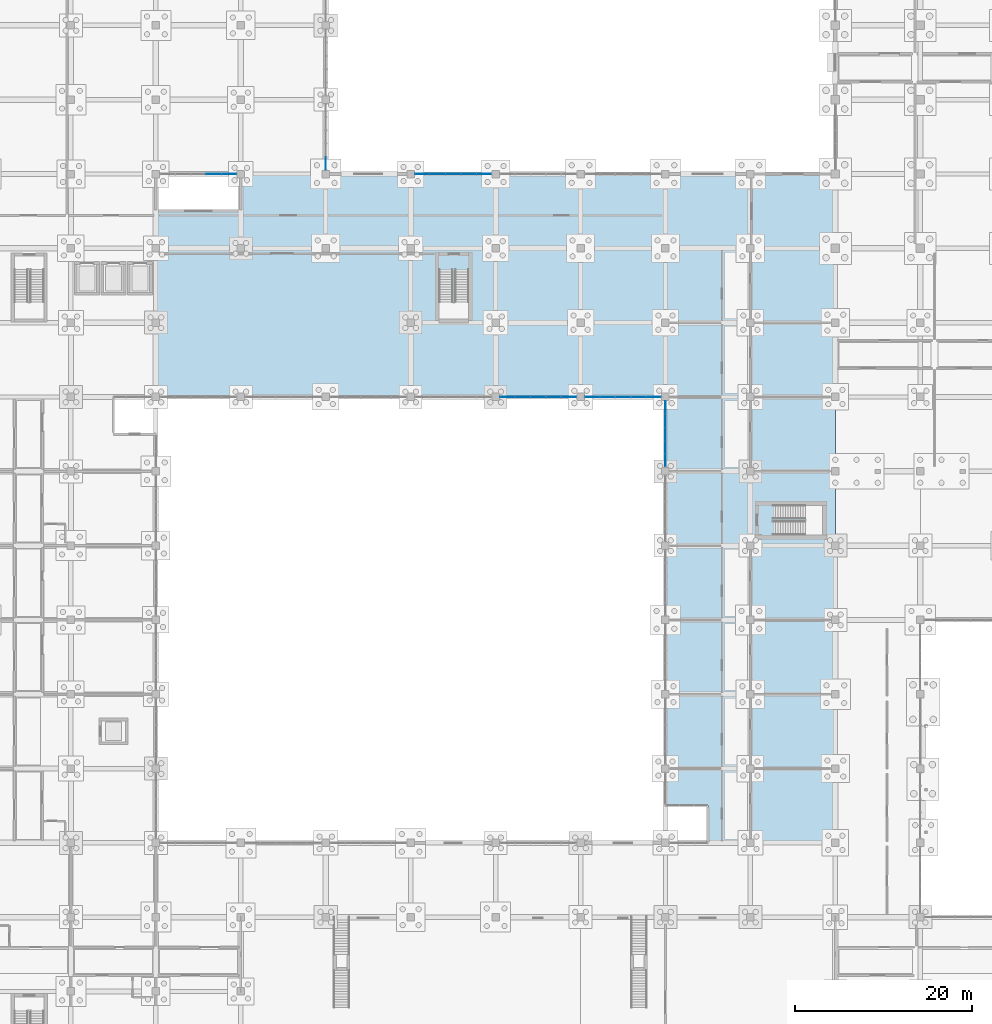
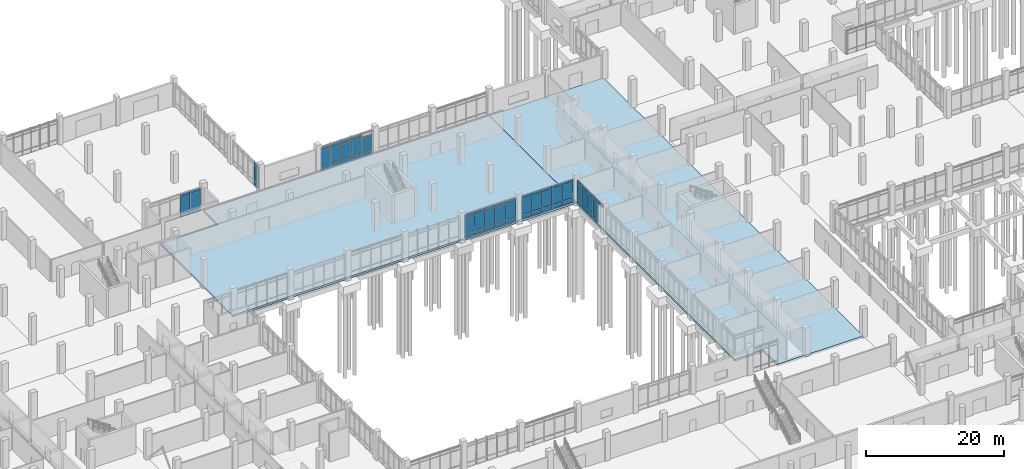
# One storey, part 80 of 136: 66 plates, 2 slabs, 6 elements without a shape of their own.
"""IFC4 building model written with IfcOpenShell, lengths in metres."""

from ifc_helpers import new_model, si_unit, direction, frame, origin, origin_2d, place, context, subcontext, project, spatial, polyline, rectangle, outline, extrude, material, layer, layer_set, type_object, element, aggregate, save


model = new_model("IFC4")

# Units and contexts
model_context = context("Model", 3, precision=1e-05, world=origin(), true_north=direction((0.0, 1.0)))
body_context = subcontext(model_context, "Body", "Model", "MODEL_VIEW")
ifc_project = project(units=[si_unit("LENGTHUNIT", "METRE"), si_unit("AREAUNIT", "SQUARE_METRE"), si_unit("VOLUMEUNIT", "CUBIC_METRE"), si_unit("PLANEANGLEUNIT", "RADIAN"), si_unit("MASSUNIT", "GRAM", prefix="KILO")], contexts=[model_context])

# Site, building, storey
site_placement = place(None, origin())
site = spatial("IfcSite", under=ifc_project, at=site_placement, CompositionType="ELEMENT")
building_placement = place(site_placement, origin())
building = spatial("IfcBuilding", under=site, at=building_placement, Name="Oolite Switchyard Hospital", CompositionType="ELEMENT")
storey_placement = place(building_placement, origin())
storey = spatial("IfcBuildingStorey", under=building, at=storey_placement, Name="L00", CompositionType="ELEMENT", Elevation=0.0)

# Curtain wall, plates
ifc_material_1 = material(Name="Thermally broken aluminum frame with laminated impact glazing", Category="aluminium")
curtain_wall_type_1 = type_object("IfcCurtainWallType", Name="CW-UNIT-84X51", PredefinedType="USERDEFINED", material=ifc_material_1)
curtain_wall_1_placement = place(storey_placement, origin())
curtain_wall_1 = element("IfcCurtainWall", 1, at=curtain_wall_1_placement, inside=storey, type_object=curtain_wall_type_1, Name="L00 Unitised Curtain Wall 72", ObjectType="UNITISED", PredefinedType="USERDEFINED")
ifc_material_2 = material(Name="Insulated fluoropolymer-coated aluminum spandrel panel", Category="aluminium")
ifc_layer_1 = layer(ifc_material_2, 0.054931640625)
ifc_layer_set_1 = layer_set([ifc_layer_1], Name="CW-PNL-SPN55")
plate_type_1 = type_object("IfcPlateType", Name="CW-PNL-SPN55", PredefinedType="CURTAIN_PANEL", material=ifc_layer_set_1)
plate_1_placement = place(storey_placement, frame((115.199951171875, 76.806884765625, 3.719970703125), z_axis=(0.0, 0.0, 1.0), x_axis=(0.0, 1.0, 0.0)))
plate_1 = element("IfcPlate", 2, at=plate_1_placement, type_object=plate_type_1, Name="CW-06 panel 1.3", PredefinedType="CURTAIN_PANEL", context=body_context, shape_type="SweptSolid", body=[
    extrude(rectangle(XDim=1.4140625, YDim=0.054931640625, at=origin_2d()), origin(), (0.0, 0.0, 1.0), 0.4599609375),
])
plate_2_placement = place(storey_placement, frame((115.199951171875, 78.2958984375, 0.06005859375), z_axis=(0.0, 0.0, 1.0), x_axis=(0.0, 1.0, 0.0)))
plate_2 = element("IfcPlate", 3, at=plate_2_placement, type_object=plate_type_1, Name="CW-06 panel 2.1", PredefinedType="CURTAIN_PANEL", context=body_context, shape_type="SweptSolid", body=[
    extrude(rectangle(XDim=1.444091796875, YDim=0.054931640625, at=origin_2d()), origin(), (0.0, 0.0, 1.0), 0.760009765625),
])
plate_3_placement = place(storey_placement, frame((115.199951171875, 78.2958984375, 0.8798828125), z_axis=(0.0, 0.0, 1.0), x_axis=(0.0, 1.0, 0.0)))
plate_3 = element("IfcPlate", 4, at=plate_3_placement, type_object=plate_type_1, Name="CW-06 panel 2.2", PredefinedType="CURTAIN_PANEL", context=body_context, shape_type="SweptSolid", body=[
    extrude(rectangle(XDim=1.444091796875, YDim=0.054931640625, at=origin_2d()), origin(), (0.0, 0.0, 1.0), 2.780029296875),
])
plate_4_placement = place(storey_placement, frame((115.199951171875, 78.2958984375, 3.719970703125), z_axis=(0.0, 0.0, 1.0), x_axis=(0.0, 1.0, 0.0)))
plate_4 = element("IfcPlate", 5, at=plate_4_placement, type_object=plate_type_1, Name="CW-06 panel 2.3", PredefinedType="CURTAIN_PANEL", context=body_context, shape_type="SweptSolid", body=[
    extrude(rectangle(XDim=1.444091796875, YDim=0.054931640625, at=origin_2d()), origin(), (0.0, 0.0, 1.0), 0.4599609375),
])
plate_5_placement = place(storey_placement, frame((115.199951171875, 79.800048828125, 0.06005859375), z_axis=(0.0, 0.0, 1.0), x_axis=(0.0, 1.0, 0.0)))
plate_5 = element("IfcPlate", 6, at=plate_5_placement, type_object=plate_type_1, Name="CW-06 panel 3.1", PredefinedType="CURTAIN_PANEL", context=body_context, shape_type="SweptSolid", body=[
    extrude(rectangle(XDim=1.444091796875, YDim=0.054931640625, at=origin_2d()), origin(), (0.0, 0.0, 1.0), 0.760009765625),
])
plate_6_placement = place(storey_placement, frame((115.199951171875, 79.800048828125, 0.8798828125), z_axis=(0.0, 0.0, 1.0), x_axis=(0.0, 1.0, 0.0)))
plate_6 = element("IfcPlate", 7, at=plate_6_placement, type_object=plate_type_1, Name="CW-06 panel 3.2", PredefinedType="CURTAIN_PANEL", context=body_context, shape_type="SweptSolid", body=[
    extrude(rectangle(XDim=1.444091796875, YDim=0.054931640625, at=origin_2d()), origin(), (0.0, 0.0, 1.0), 2.780029296875),
])
plate_7_placement = place(storey_placement, frame((115.199951171875, 79.800048828125, 3.719970703125), z_axis=(0.0, 0.0, 1.0), x_axis=(0.0, 1.0, 0.0)))
plate_7 = element("IfcPlate", 8, at=plate_7_placement, type_object=plate_type_1, Name="CW-06 panel 3.3", PredefinedType="CURTAIN_PANEL", context=body_context, shape_type="SweptSolid", body=[
    extrude(rectangle(XDim=1.444091796875, YDim=0.054931640625, at=origin_2d()), origin(), (0.0, 0.0, 1.0), 0.4599609375),
])
plate_8_placement = place(storey_placement, frame((115.199951171875, 81.303955078125, 0.06005859375), z_axis=(0.0, 0.0, 1.0), x_axis=(0.0, 1.0, 0.0)))
plate_8 = element("IfcPlate", 9, at=plate_8_placement, type_object=plate_type_1, Name="CW-06 panel 4.1", PredefinedType="CURTAIN_PANEL", context=body_context, shape_type="SweptSolid", body=[
    extrude(rectangle(XDim=1.444091796875, YDim=0.054931640625, at=origin_2d()), origin(), (0.0, 0.0, 1.0), 0.760009765625),
])
plate_9_placement = place(storey_placement, frame((115.199951171875, 81.303955078125, 0.8798828125), z_axis=(0.0, 0.0, 1.0), x_axis=(0.0, 1.0, 0.0)))
plate_9 = element("IfcPlate", 10, at=plate_9_placement, type_object=plate_type_1, Name="CW-06 panel 4.2", PredefinedType="CURTAIN_PANEL", context=body_context, shape_type="SweptSolid", body=[
    extrude(rectangle(XDim=1.444091796875, YDim=0.054931640625, at=origin_2d()), origin(), (0.0, 0.0, 1.0), 2.780029296875),
])
plate_10_placement = place(storey_placement, frame((115.199951171875, 81.303955078125, 3.719970703125), z_axis=(0.0, 0.0, 1.0), x_axis=(0.0, 1.0, 0.0)))
plate_10 = element("IfcPlate", 11, at=plate_10_placement, type_object=plate_type_1, Name="CW-06 panel 4.3", PredefinedType="CURTAIN_PANEL", context=body_context, shape_type="SweptSolid", body=[
    extrude(rectangle(XDim=1.444091796875, YDim=0.054931640625, at=origin_2d()), origin(), (0.0, 0.0, 1.0), 0.4599609375),
])
plate_11_placement = place(storey_placement, frame((115.199951171875, 82.79296875, 0.06005859375), z_axis=(0.0, 0.0, 1.0), x_axis=(0.0, 1.0, 0.0)))
plate_11 = element("IfcPlate", 12, at=plate_11_placement, type_object=plate_type_1, Name="CW-06 panel 5.1", PredefinedType="CURTAIN_PANEL", context=body_context, shape_type="SweptSolid", body=[
    extrude(rectangle(XDim=1.4140625, YDim=0.054931640625, at=origin_2d()), origin(), (0.0, 0.0, 1.0), 0.760009765625),
])
plate_12_placement = place(storey_placement, frame((115.199951171875, 82.79296875, 0.8798828125), z_axis=(0.0, 0.0, 1.0), x_axis=(0.0, 1.0, 0.0)))
plate_12 = element("IfcPlate", 13, at=plate_12_placement, type_object=plate_type_1, Name="CW-06 panel 5.2", PredefinedType="CURTAIN_PANEL", context=body_context, shape_type="SweptSolid", body=[
    extrude(rectangle(XDim=1.4140625, YDim=0.054931640625, at=origin_2d()), origin(), (0.0, 0.0, 1.0), 2.780029296875),
])
plate_13_placement = place(storey_placement, frame((115.199951171875, 82.79296875, 3.719970703125), z_axis=(0.0, 0.0, 1.0), x_axis=(0.0, 1.0, 0.0)))
plate_13 = element("IfcPlate", 14, at=plate_13_placement, type_object=plate_type_1, Name="CW-06 panel 5.3", PredefinedType="CURTAIN_PANEL", context=body_context, shape_type="SweptSolid", body=[
    extrude(rectangle(XDim=1.4140625, YDim=0.054931640625, at=origin_2d()), origin(), (0.0, 0.0, 1.0), 0.4599609375),
])
aggregate(curtain_wall_1, [plate_1, plate_2, plate_3, plate_4, plate_5, plate_6, plate_7, plate_8, plate_9, plate_10, plate_11, plate_12, plate_13])

curtain_wall_type_2 = type_object("IfcCurtainWallType", Name="CW-UNIT-96X51", PredefinedType="USERDEFINED", material=ifc_material_1)
curtain_wall_2_placement = place(storey_placement, origin())
curtain_wall_2 = element("IfcCurtainWall", 15, at=curtain_wall_2_placement, inside=storey, type_object=curtain_wall_type_2, Name="L00 Unitised Curtain Wall 41", ObjectType="UNITISED", PredefinedType="USERDEFINED")
ifc_layer_2 = layer(ifc_material_2, 0.070068359375)
ifc_layer_set_2 = layer_set([ifc_layer_2], Name="CW-PNL-SPN70")
plate_type_2 = type_object("IfcPlateType", Name="CW-PNL-SPN70", PredefinedType="CURTAIN_PANEL", material=ifc_layer_set_2)
plate_14_placement = place(storey_placement, frame((65.869140625, 109.199951171875, 0.0751953125), z_axis=(0.0, 0.0, 1.0), x_axis=(-1.0, 0.0, 0.0)))
plate_14 = element("IfcPlate", 16, at=plate_14_placement, type_object=plate_type_2, Name="CW-01 panel 1.1", PredefinedType="CURTAIN_PANEL", context=body_context, shape_type="SweptSolid", body=[
    extrude(rectangle(XDim=1.631591796875, YDim=0.070068359375, at=origin_2d()), origin(), (0.0, 0.0, 1.0), 0.737548828125),
])
plate_15_placement = place(storey_placement, frame((65.869140625, 109.199951171875, 0.8876953125), z_axis=(0.0, 0.0, 1.0), x_axis=(-1.0, 0.0, 0.0)))
plate_15 = element("IfcPlate", 17, at=plate_15_placement, type_object=plate_type_2, Name="CW-01 panel 1.2", PredefinedType="CURTAIN_PANEL", context=body_context, shape_type="SweptSolid", body=[
    extrude(rectangle(XDim=1.631591796875, YDim=0.070068359375, at=origin_2d()), origin(), (0.0, 0.0, 1.0), 2.764892578125),
])
plate_16_placement = place(storey_placement, frame((65.869140625, 109.199951171875, 3.7275390625), z_axis=(0.0, 0.0, 1.0), x_axis=(-1.0, 0.0, 0.0)))
plate_16 = element("IfcPlate", 18, at=plate_16_placement, type_object=plate_type_2, Name="CW-01 panel 1.3", PredefinedType="CURTAIN_PANEL", context=body_context, shape_type="SweptSolid", body=[
    extrude(rectangle(XDim=1.631591796875, YDim=0.070068359375, at=origin_2d()), origin(), (0.0, 0.0, 1.0), 0.4375),
])
plate_17_placement = place(storey_placement, frame((64.14404296875, 109.199951171875, 0.0751953125), z_axis=(0.0, 0.0, 1.0), x_axis=(-1.0, 0.0, 0.0)))
plate_17 = element("IfcPlate", 19, at=plate_17_placement, type_object=plate_type_2, Name="CW-01 panel 2.1", PredefinedType="CURTAIN_PANEL", context=body_context, shape_type="SweptSolid", body=[
    extrude(rectangle(XDim=1.6689453125, YDim=0.070068359375, at=origin_2d()), origin(), (0.0, 0.0, 1.0), 0.737548828125),
])
plate_18_placement = place(storey_placement, frame((64.14404296875, 109.199951171875, 0.8876953125), z_axis=(0.0, 0.0, 1.0), x_axis=(-1.0, 0.0, 0.0)))
plate_18 = element("IfcPlate", 20, at=plate_18_placement, type_object=plate_type_2, Name="CW-01 panel 2.2", PredefinedType="CURTAIN_PANEL", context=body_context, shape_type="SweptSolid", body=[
    extrude(rectangle(XDim=1.6689453125, YDim=0.070068359375, at=origin_2d()), origin(), (0.0, 0.0, 1.0), 2.764892578125),
])
plate_19_placement = place(storey_placement, frame((64.14404296875, 109.199951171875, 3.7275390625), z_axis=(0.0, 0.0, 1.0), x_axis=(-1.0, 0.0, 0.0)))
plate_19 = element("IfcPlate", 21, at=plate_19_placement, type_object=plate_type_2, Name="CW-01 panel 2.3", PredefinedType="CURTAIN_PANEL", context=body_context, shape_type="SweptSolid", body=[
    extrude(rectangle(XDim=1.6689453125, YDim=0.070068359375, at=origin_2d()), origin(), (0.0, 0.0, 1.0), 0.4375),
])
aggregate(curtain_wall_2, [plate_14, plate_15, plate_16, plate_17, plate_18, plate_19])

curtain_wall_3_placement = place(storey_placement, origin())
curtain_wall_3 = element("IfcCurtainWall", 22, at=curtain_wall_3_placement, inside=storey, type_object=curtain_wall_type_2, Name="L00 Unitised Curtain Wall 34", ObjectType="UNITISED", PredefinedType="USERDEFINED")
ifc_material_3 = material(Name="Laminated hurricane-impact insulated glazing unit", Category="glass")
ifc_layer_3 = layer(ifc_material_3, 0.028076171875)
ifc_layer_set_3 = layer_set([ifc_layer_3], Name="CW-PNL-VIS28")
plate_type_3 = type_object("IfcPlateType", Name="CW-PNL-VIS28", PredefinedType="CURTAIN_PANEL", material=ifc_layer_set_3)
plate_20_placement = place(storey_placement, frame((104.2705078125, 84.0, 0.06005859375), z_axis=(0.0, 0.0, 1.0), x_axis=(-1.0, 0.0, 0.0)))
plate_20 = element("IfcPlate", 23, at=plate_20_placement, type_object=plate_type_3, Name="CW-01 panel 1.1", PredefinedType="CURTAIN_PANEL", context=body_context, shape_type="SweptSolid", body=[
    extrude(rectangle(XDim=1.638916015625, YDim=0.028076171875, at=origin_2d()), origin(), (0.0, 0.0, 1.0), 0.760009765625),
])
plate_21_placement = place(storey_placement, frame((104.2705078125, 84.0, 0.8798828125), z_axis=(0.0, 0.0, 1.0), x_axis=(-1.0, 0.0, 0.0)))
plate_21 = element("IfcPlate", 24, at=plate_21_placement, type_object=plate_type_3, Name="CW-01 panel 1.2", PredefinedType="CURTAIN_PANEL", context=body_context, shape_type="SweptSolid", body=[
    extrude(rectangle(XDim=1.638916015625, YDim=0.028076171875, at=origin_2d()), origin(), (0.0, 0.0, 1.0), 2.780029296875),
])
plate_22_placement = place(storey_placement, frame((104.2705078125, 84.0, 3.719970703125), z_axis=(0.0, 0.0, 1.0), x_axis=(-1.0, 0.0, 0.0)))
plate_22 = element("IfcPlate", 25, at=plate_22_placement, type_object=plate_type_3, Name="CW-01 panel 1.3", PredefinedType="CURTAIN_PANEL", context=body_context, shape_type="SweptSolid", body=[
    extrude(rectangle(XDim=1.638916015625, YDim=0.028076171875, at=origin_2d()), origin(), (0.0, 0.0, 1.0), 0.4599609375),
])
plate_23_placement = place(storey_placement, frame((102.5439453125, 84.0, 0.06005859375), z_axis=(0.0, 0.0, 1.0), x_axis=(-1.0, 0.0, 0.0)))
plate_23 = element("IfcPlate", 26, at=plate_23_placement, type_object=plate_type_3, Name="CW-01 panel 2.1", PredefinedType="CURTAIN_PANEL", context=body_context, shape_type="SweptSolid", body=[
    extrude(rectangle(XDim=1.674072265625, YDim=0.028076171875, at=origin_2d()), origin(), (0.0, 0.0, 1.0), 0.760009765625),
])
plate_24_placement = place(storey_placement, frame((102.5439453125, 84.0, 0.8798828125), z_axis=(0.0, 0.0, 1.0), x_axis=(-1.0, 0.0, 0.0)))
plate_24 = element("IfcPlate", 27, at=plate_24_placement, type_object=plate_type_3, Name="CW-01 panel 2.2", PredefinedType="CURTAIN_PANEL", context=body_context, shape_type="SweptSolid", body=[
    extrude(rectangle(XDim=1.674072265625, YDim=0.028076171875, at=origin_2d()), origin(), (0.0, 0.0, 1.0), 2.780029296875),
])
plate_25_placement = place(storey_placement, frame((102.5439453125, 84.0, 3.719970703125), z_axis=(0.0, 0.0, 1.0), x_axis=(-1.0, 0.0, 0.0)))
plate_25 = element("IfcPlate", 28, at=plate_25_placement, type_object=plate_type_3, Name="CW-01 panel 2.3", PredefinedType="CURTAIN_PANEL", context=body_context, shape_type="SweptSolid", body=[
    extrude(rectangle(XDim=1.674072265625, YDim=0.028076171875, at=origin_2d()), origin(), (0.0, 0.0, 1.0), 0.4599609375),
])
plate_26_placement = place(storey_placement, frame((100.800048828125, 84.0, 0.06005859375), z_axis=(0.0, 0.0, 1.0), x_axis=(-1.0, 0.0, 0.0)))
plate_26 = element("IfcPlate", 29, at=plate_26_placement, type_object=plate_type_3, Name="CW-01 panel 3.1", PredefinedType="CURTAIN_PANEL", context=body_context, shape_type="SweptSolid", body=[
    extrude(rectangle(XDim=1.674072265625, YDim=0.028076171875, at=origin_2d()), origin(), (0.0, 0.0, 1.0), 0.760009765625),
])
plate_27_placement = place(storey_placement, frame((100.800048828125, 84.0, 0.8798828125), z_axis=(0.0, 0.0, 1.0), x_axis=(-1.0, 0.0, 0.0)))
plate_27 = element("IfcPlate", 30, at=plate_27_placement, type_object=plate_type_3, Name="CW-01 panel 3.2", PredefinedType="CURTAIN_PANEL", context=body_context, shape_type="SweptSolid", body=[
    extrude(rectangle(XDim=1.674072265625, YDim=0.028076171875, at=origin_2d()), origin(), (0.0, 0.0, 1.0), 2.780029296875),
])
plate_28_placement = place(storey_placement, frame((100.800048828125, 84.0, 3.719970703125), z_axis=(0.0, 0.0, 1.0), x_axis=(-1.0, 0.0, 0.0)))
plate_28 = element("IfcPlate", 31, at=plate_28_placement, type_object=plate_type_3, Name="CW-01 panel 3.3", PredefinedType="CURTAIN_PANEL", context=body_context, shape_type="SweptSolid", body=[
    extrude(rectangle(XDim=1.674072265625, YDim=0.028076171875, at=origin_2d()), origin(), (0.0, 0.0, 1.0), 0.4599609375),
])
plate_29_placement = place(storey_placement, frame((99.055908203125, 84.0, 0.06005859375), z_axis=(0.0, 0.0, 1.0), x_axis=(-1.0, 0.0, 0.0)))
plate_29 = element("IfcPlate", 32, at=plate_29_placement, type_object=plate_type_3, Name="CW-01 panel 4.1", PredefinedType="CURTAIN_PANEL", context=body_context, shape_type="SweptSolid", body=[
    extrude(rectangle(XDim=1.674072265625, YDim=0.028076171875, at=origin_2d()), origin(), (0.0, 0.0, 1.0), 0.760009765625),
])
plate_30_placement = place(storey_placement, frame((99.055908203125, 84.0, 0.8798828125), z_axis=(0.0, 0.0, 1.0), x_axis=(-1.0, 0.0, 0.0)))
plate_30 = element("IfcPlate", 33, at=plate_30_placement, type_object=plate_type_3, Name="CW-01 panel 4.2", PredefinedType="CURTAIN_PANEL", context=body_context, shape_type="SweptSolid", body=[
    extrude(rectangle(XDim=1.674072265625, YDim=0.028076171875, at=origin_2d()), origin(), (0.0, 0.0, 1.0), 2.780029296875),
])
plate_31_placement = place(storey_placement, frame((99.055908203125, 84.0, 3.719970703125), z_axis=(0.0, 0.0, 1.0), x_axis=(-1.0, 0.0, 0.0)))
plate_31 = element("IfcPlate", 34, at=plate_31_placement, type_object=plate_type_3, Name="CW-01 panel 4.3", PredefinedType="CURTAIN_PANEL", context=body_context, shape_type="SweptSolid", body=[
    extrude(rectangle(XDim=1.674072265625, YDim=0.028076171875, at=origin_2d()), origin(), (0.0, 0.0, 1.0), 0.4599609375),
])
plate_32_placement = place(storey_placement, frame((97.32958984375, 84.0, 0.06005859375), z_axis=(0.0, 0.0, 1.0), x_axis=(-1.0, 0.0, 0.0)))
plate_32 = element("IfcPlate", 35, at=plate_32_placement, type_object=plate_type_3, Name="CW-01 panel 5.1", PredefinedType="CURTAIN_PANEL", context=body_context, shape_type="SweptSolid", body=[
    extrude(rectangle(XDim=1.638916015625, YDim=0.028076171875, at=origin_2d()), origin(), (0.0, 0.0, 1.0), 0.760009765625),
])
plate_33_placement = place(storey_placement, frame((97.32958984375, 84.0, 0.8798828125), z_axis=(0.0, 0.0, 1.0), x_axis=(-1.0, 0.0, 0.0)))
plate_33 = element("IfcPlate", 36, at=plate_33_placement, type_object=plate_type_3, Name="CW-01 panel 5.2", PredefinedType="CURTAIN_PANEL", context=body_context, shape_type="SweptSolid", body=[
    extrude(rectangle(XDim=1.638916015625, YDim=0.028076171875, at=origin_2d()), origin(), (0.0, 0.0, 1.0), 2.780029296875),
])
plate_34_placement = place(storey_placement, frame((97.32958984375, 84.0, 3.719970703125), z_axis=(0.0, 0.0, 1.0), x_axis=(-1.0, 0.0, 0.0)))
plate_34 = element("IfcPlate", 37, at=plate_34_placement, type_object=plate_type_3, Name="CW-01 panel 5.3", PredefinedType="CURTAIN_PANEL", context=body_context, shape_type="SweptSolid", body=[
    extrude(rectangle(XDim=1.638916015625, YDim=0.028076171875, at=origin_2d()), origin(), (0.0, 0.0, 1.0), 0.4599609375),
])
aggregate(curtain_wall_3, [plate_20, plate_21, plate_22, plate_23, plate_24, plate_25, plate_26, plate_27, plate_28, plate_29, plate_30, plate_31, plate_32, plate_33, plate_34])

curtain_wall_4_placement = place(storey_placement, origin())
curtain_wall_4 = element("IfcCurtainWall", 38, at=curtain_wall_4_placement, inside=storey, type_object=curtain_wall_type_1, Name="L00 Unitised Curtain Wall 64", ObjectType="UNITISED", PredefinedType="USERDEFINED")
plate_35_placement = place(storey_placement, frame((76.800048828125, 110.409423828125, 0.06005859375), z_axis=(0.0, 0.0, 1.0), x_axis=(0.0, -1.0, 0.0)))
plate_35 = element("IfcPlate", 39, at=plate_35_placement, type_object=plate_type_3, Name="CW-06 panel 5.1", PredefinedType="CURTAIN_PANEL", context=body_context, shape_type="SweptSolid", body=[
    extrude(rectangle(XDim=1.39892578125, YDim=0.028076171875, at=origin_2d()), origin(), (0.0, 0.0, 1.0), 0.760009765625),
])
plate_36_placement = place(storey_placement, frame((76.800048828125, 110.409423828125, 0.8798828125), z_axis=(0.0, 0.0, 1.0), x_axis=(0.0, -1.0, 0.0)))
plate_36 = element("IfcPlate", 40, at=plate_36_placement, type_object=plate_type_3, Name="CW-06 panel 5.2", PredefinedType="CURTAIN_PANEL", context=body_context, shape_type="SweptSolid", body=[
    extrude(rectangle(XDim=1.39892578125, YDim=0.028076171875, at=origin_2d()), origin(), (0.0, 0.0, 1.0), 2.780029296875),
])
plate_37_placement = place(storey_placement, frame((76.800048828125, 110.409423828125, 3.719970703125), z_axis=(0.0, 0.0, 1.0), x_axis=(0.0, -1.0, 0.0)))
plate_37 = element("IfcPlate", 41, at=plate_37_placement, type_object=plate_type_3, Name="CW-06 panel 5.3", PredefinedType="CURTAIN_PANEL", context=body_context, shape_type="SweptSolid", body=[
    extrude(rectangle(XDim=1.39892578125, YDim=0.028076171875, at=origin_2d()), origin(), (0.0, 0.0, 1.0), 0.4599609375),
])
aggregate(curtain_wall_4, [plate_35, plate_36, plate_37])

curtain_wall_5_placement = place(storey_placement, origin())
curtain_wall_5 = element("IfcCurtainWall", 42, at=curtain_wall_5_placement, inside=storey, type_object=curtain_wall_type_2, Name="L00 Unitised Curtain Wall 35", ObjectType="UNITISED", PredefinedType="USERDEFINED")
ifc_layer_4 = layer(ifc_material_3, 0.035888671875)
ifc_layer_set_4 = layer_set([ifc_layer_4], Name="CW-PNL-VIS36")
plate_type_4 = type_object("IfcPlateType", Name="CW-PNL-VIS36", PredefinedType="CURTAIN_PANEL", material=ifc_layer_set_4)
plate_38_placement = place(storey_placement, frame((113.869140625, 84.0, 0.0751953125), z_axis=(0.0, 0.0, 1.0), x_axis=(-1.0, 0.0, 0.0)))
plate_38 = element("IfcPlate", 43, at=plate_38_placement, type_object=plate_type_4, Name="CW-01 panel 1.1", PredefinedType="CURTAIN_PANEL", context=body_context, shape_type="SweptSolid", body=[
    extrude(rectangle(XDim=1.631591796875, YDim=0.035888671875, at=origin_2d()), origin(), (0.0, 0.0, 1.0), 0.737548828125),
])
plate_39_placement = place(storey_placement, frame((113.869140625, 84.0, 0.8876953125), z_axis=(0.0, 0.0, 1.0), x_axis=(-1.0, 0.0, 0.0)))
plate_39 = element("IfcPlate", 44, at=plate_39_placement, type_object=plate_type_4, Name="CW-01 panel 1.2", PredefinedType="CURTAIN_PANEL", context=body_context, shape_type="SweptSolid", body=[
    extrude(rectangle(XDim=1.631591796875, YDim=0.035888671875, at=origin_2d()), origin(), (0.0, 0.0, 1.0), 2.764892578125),
])
plate_40_placement = place(storey_placement, frame((113.869140625, 84.0, 3.7275390625), z_axis=(0.0, 0.0, 1.0), x_axis=(-1.0, 0.0, 0.0)))
plate_40 = element("IfcPlate", 45, at=plate_40_placement, type_object=plate_type_4, Name="CW-01 panel 1.3", PredefinedType="CURTAIN_PANEL", context=body_context, shape_type="SweptSolid", body=[
    extrude(rectangle(XDim=1.631591796875, YDim=0.035888671875, at=origin_2d()), origin(), (0.0, 0.0, 1.0), 0.4375),
])
plate_41_placement = place(storey_placement, frame((112.14404296875, 84.0, 0.0751953125), z_axis=(0.0, 0.0, 1.0), x_axis=(-1.0, 0.0, 0.0)))
plate_41 = element("IfcPlate", 46, at=plate_41_placement, type_object=plate_type_4, Name="CW-01 panel 2.1", PredefinedType="CURTAIN_PANEL", context=body_context, shape_type="SweptSolid", body=[
    extrude(rectangle(XDim=1.6689453125, YDim=0.035888671875, at=origin_2d()), origin(), (0.0, 0.0, 1.0), 0.737548828125),
])
plate_42_placement = place(storey_placement, frame((112.14404296875, 84.0, 0.8876953125), z_axis=(0.0, 0.0, 1.0), x_axis=(-1.0, 0.0, 0.0)))
plate_42 = element("IfcPlate", 47, at=plate_42_placement, type_object=plate_type_4, Name="CW-01 panel 2.2", PredefinedType="CURTAIN_PANEL", context=body_context, shape_type="SweptSolid", body=[
    extrude(rectangle(XDim=1.6689453125, YDim=0.035888671875, at=origin_2d()), origin(), (0.0, 0.0, 1.0), 2.764892578125),
])
plate_43_placement = place(storey_placement, frame((112.14404296875, 84.0, 3.7275390625), z_axis=(0.0, 0.0, 1.0), x_axis=(-1.0, 0.0, 0.0)))
plate_43 = element("IfcPlate", 48, at=plate_43_placement, type_object=plate_type_4, Name="CW-01 panel 2.3", PredefinedType="CURTAIN_PANEL", context=body_context, shape_type="SweptSolid", body=[
    extrude(rectangle(XDim=1.6689453125, YDim=0.035888671875, at=origin_2d()), origin(), (0.0, 0.0, 1.0), 0.4375),
])
plate_44_placement = place(storey_placement, frame((110.39990234375, 84.0, 0.0751953125), z_axis=(0.0, 0.0, 1.0), x_axis=(-1.0, 0.0, 0.0)))
plate_44 = element("IfcPlate", 49, at=plate_44_placement, type_object=plate_type_4, Name="CW-01 panel 3.1", PredefinedType="CURTAIN_PANEL", context=body_context, shape_type="SweptSolid", body=[
    extrude(rectangle(XDim=1.6689453125, YDim=0.035888671875, at=origin_2d()), origin(), (0.0, 0.0, 1.0), 0.737548828125),
])
plate_45_placement = place(storey_placement, frame((110.39990234375, 84.0, 0.8876953125), z_axis=(0.0, 0.0, 1.0), x_axis=(-1.0, 0.0, 0.0)))
plate_45 = element("IfcPlate", 50, at=plate_45_placement, type_object=plate_type_4, Name="CW-01 panel 3.2", PredefinedType="CURTAIN_PANEL", context=body_context, shape_type="SweptSolid", body=[
    extrude(rectangle(XDim=1.6689453125, YDim=0.035888671875, at=origin_2d()), origin(), (0.0, 0.0, 1.0), 2.764892578125),
])
plate_46_placement = place(storey_placement, frame((110.39990234375, 84.0, 3.7275390625), z_axis=(0.0, 0.0, 1.0), x_axis=(-1.0, 0.0, 0.0)))
plate_46 = element("IfcPlate", 51, at=plate_46_placement, type_object=plate_type_4, Name="CW-01 panel 3.3", PredefinedType="CURTAIN_PANEL", context=body_context, shape_type="SweptSolid", body=[
    extrude(rectangle(XDim=1.6689453125, YDim=0.035888671875, at=origin_2d()), origin(), (0.0, 0.0, 1.0), 0.4375),
])
plate_47_placement = place(storey_placement, frame((108.656005859375, 84.0, 0.0751953125), z_axis=(0.0, 0.0, 1.0), x_axis=(-1.0, 0.0, 0.0)))
plate_47 = element("IfcPlate", 52, at=plate_47_placement, type_object=plate_type_4, Name="CW-01 panel 4.1", PredefinedType="CURTAIN_PANEL", context=body_context, shape_type="SweptSolid", body=[
    extrude(rectangle(XDim=1.6689453125, YDim=0.035888671875, at=origin_2d()), origin(), (0.0, 0.0, 1.0), 0.737548828125),
])
plate_48_placement = place(storey_placement, frame((108.656005859375, 84.0, 0.8876953125), z_axis=(0.0, 0.0, 1.0), x_axis=(-1.0, 0.0, 0.0)))
plate_48 = element("IfcPlate", 53, at=plate_48_placement, type_object=plate_type_4, Name="CW-01 panel 4.2", PredefinedType="CURTAIN_PANEL", context=body_context, shape_type="SweptSolid", body=[
    extrude(rectangle(XDim=1.6689453125, YDim=0.035888671875, at=origin_2d()), origin(), (0.0, 0.0, 1.0), 2.764892578125),
])
plate_49_placement = place(storey_placement, frame((108.656005859375, 84.0, 3.7275390625), z_axis=(0.0, 0.0, 1.0), x_axis=(-1.0, 0.0, 0.0)))
plate_49 = element("IfcPlate", 54, at=plate_49_placement, type_object=plate_type_4, Name="CW-01 panel 4.3", PredefinedType="CURTAIN_PANEL", context=body_context, shape_type="SweptSolid", body=[
    extrude(rectangle(XDim=1.6689453125, YDim=0.035888671875, at=origin_2d()), origin(), (0.0, 0.0, 1.0), 0.4375),
])
plate_50_placement = place(storey_placement, frame((106.9306640625, 84.0, 0.0751953125), z_axis=(0.0, 0.0, 1.0), x_axis=(-1.0, 0.0, 0.0)))
plate_50 = element("IfcPlate", 55, at=plate_50_placement, type_object=plate_type_4, Name="CW-01 panel 5.1", PredefinedType="CURTAIN_PANEL", context=body_context, shape_type="SweptSolid", body=[
    extrude(rectangle(XDim=1.631591796875, YDim=0.035888671875, at=origin_2d()), origin(), (0.0, 0.0, 1.0), 0.737548828125),
])
plate_51_placement = place(storey_placement, frame((106.9306640625, 84.0, 0.8876953125), z_axis=(0.0, 0.0, 1.0), x_axis=(-1.0, 0.0, 0.0)))
plate_51 = element("IfcPlate", 56, at=plate_51_placement, type_object=plate_type_4, Name="CW-01 panel 5.2", PredefinedType="CURTAIN_PANEL", context=body_context, shape_type="SweptSolid", body=[
    extrude(rectangle(XDim=1.631591796875, YDim=0.035888671875, at=origin_2d()), origin(), (0.0, 0.0, 1.0), 2.764892578125),
])
plate_52_placement = place(storey_placement, frame((106.9306640625, 84.0, 3.7275390625), z_axis=(0.0, 0.0, 1.0), x_axis=(-1.0, 0.0, 0.0)))
plate_52 = element("IfcPlate", 57, at=plate_52_placement, type_object=plate_type_4, Name="CW-01 panel 5.3", PredefinedType="CURTAIN_PANEL", context=body_context, shape_type="SweptSolid", body=[
    extrude(rectangle(XDim=1.631591796875, YDim=0.035888671875, at=origin_2d()), origin(), (0.0, 0.0, 1.0), 0.4375),
])
aggregate(curtain_wall_5, [plate_38, plate_39, plate_40, plate_41, plate_42, plate_43, plate_44, plate_45, plate_46, plate_47, plate_48, plate_49, plate_50, plate_51, plate_52])

curtain_wall_6_placement = place(storey_placement, origin())
curtain_wall_6 = element("IfcCurtainWall", 58, at=curtain_wall_6_placement, inside=storey, type_object=curtain_wall_type_2, Name="L00 Unitised Curtain Wall 42", ObjectType="UNITISED", PredefinedType="USERDEFINED")
plate_53_placement = place(storey_placement, frame((87.72705078125, 109.199951171875, 0.06005859375), z_axis=(0.0, 0.0, 1.0), x_axis=(1.0, 0.0, 0.0)))
plate_53 = element("IfcPlate", 59, at=plate_53_placement, type_object=plate_type_4, Name="CW-01 panel 1.1", PredefinedType="CURTAIN_PANEL", context=body_context, shape_type="SweptSolid", body=[
    extrude(rectangle(XDim=1.654052734375, YDim=0.035888671875, at=origin_2d()), origin(), (0.0, 0.0, 1.0), 0.760009765625),
])
plate_54_placement = place(storey_placement, frame((87.72705078125, 109.199951171875, 0.8798828125), z_axis=(0.0, 0.0, 1.0), x_axis=(1.0, 0.0, 0.0)))
plate_54 = element("IfcPlate", 60, at=plate_54_placement, type_object=plate_type_4, Name="CW-01 panel 1.2", PredefinedType="CURTAIN_PANEL", context=body_context, shape_type="SweptSolid", body=[
    extrude(rectangle(XDim=1.654052734375, YDim=0.035888671875, at=origin_2d()), origin(), (0.0, 0.0, 1.0), 2.780029296875),
])
plate_55_placement = place(storey_placement, frame((87.72705078125, 109.199951171875, 3.719970703125), z_axis=(0.0, 0.0, 1.0), x_axis=(1.0, 0.0, 0.0)))
plate_55 = element("IfcPlate", 61, at=plate_55_placement, type_object=plate_type_4, Name="CW-01 panel 1.3", PredefinedType="CURTAIN_PANEL", context=body_context, shape_type="SweptSolid", body=[
    extrude(rectangle(XDim=1.654052734375, YDim=0.035888671875, at=origin_2d()), origin(), (0.0, 0.0, 1.0), 0.4599609375),
])
plate_56_placement = place(storey_placement, frame((89.4560546875, 109.199951171875, 0.06005859375), z_axis=(0.0, 0.0, 1.0), x_axis=(1.0, 0.0, 0.0)))
plate_56 = element("IfcPlate", 62, at=plate_56_placement, type_object=plate_type_4, Name="CW-01 panel 2.1", PredefinedType="CURTAIN_PANEL", context=body_context, shape_type="SweptSolid", body=[
    extrude(rectangle(XDim=1.68408203125, YDim=0.035888671875, at=origin_2d()), origin(), (0.0, 0.0, 1.0), 0.760009765625),
])
plate_57_placement = place(storey_placement, frame((89.4560546875, 109.199951171875, 0.8798828125), z_axis=(0.0, 0.0, 1.0), x_axis=(1.0, 0.0, 0.0)))
plate_57 = element("IfcPlate", 63, at=plate_57_placement, type_object=plate_type_4, Name="CW-01 panel 2.2", PredefinedType="CURTAIN_PANEL", context=body_context, shape_type="SweptSolid", body=[
    extrude(rectangle(XDim=1.68408203125, YDim=0.035888671875, at=origin_2d()), origin(), (0.0, 0.0, 1.0), 2.780029296875),
])
plate_58_placement = place(storey_placement, frame((89.4560546875, 109.199951171875, 3.719970703125), z_axis=(0.0, 0.0, 1.0), x_axis=(1.0, 0.0, 0.0)))
plate_58 = element("IfcPlate", 64, at=plate_58_placement, type_object=plate_type_4, Name="CW-01 panel 2.3", PredefinedType="CURTAIN_PANEL", context=body_context, shape_type="SweptSolid", body=[
    extrude(rectangle(XDim=1.68408203125, YDim=0.035888671875, at=origin_2d()), origin(), (0.0, 0.0, 1.0), 0.4599609375),
])
plate_59_placement = place(storey_placement, frame((91.199951171875, 109.199951171875, 0.06005859375), z_axis=(0.0, 0.0, 1.0), x_axis=(1.0, 0.0, 0.0)))
plate_59 = element("IfcPlate", 65, at=plate_59_placement, type_object=plate_type_4, Name="CW-01 panel 3.1", PredefinedType="CURTAIN_PANEL", context=body_context, shape_type="SweptSolid", body=[
    extrude(rectangle(XDim=1.68408203125, YDim=0.035888671875, at=origin_2d()), origin(), (0.0, 0.0, 1.0), 0.760009765625),
])
plate_60_placement = place(storey_placement, frame((91.199951171875, 109.199951171875, 0.8798828125), z_axis=(0.0, 0.0, 1.0), x_axis=(1.0, 0.0, 0.0)))
plate_60 = element("IfcPlate", 66, at=plate_60_placement, type_object=plate_type_4, Name="CW-01 panel 3.2", PredefinedType="CURTAIN_PANEL", context=body_context, shape_type="SweptSolid", body=[
    extrude(rectangle(XDim=1.68408203125, YDim=0.035888671875, at=origin_2d()), origin(), (0.0, 0.0, 1.0), 2.780029296875),
])
plate_61_placement = place(storey_placement, frame((91.199951171875, 109.199951171875, 3.719970703125), z_axis=(0.0, 0.0, 1.0), x_axis=(1.0, 0.0, 0.0)))
plate_61 = element("IfcPlate", 67, at=plate_61_placement, type_object=plate_type_4, Name="CW-01 panel 3.3", PredefinedType="CURTAIN_PANEL", context=body_context, shape_type="SweptSolid", body=[
    extrude(rectangle(XDim=1.68408203125, YDim=0.035888671875, at=origin_2d()), origin(), (0.0, 0.0, 1.0), 0.4599609375),
])
plate_62_placement = place(storey_placement, frame((92.944091796875, 109.199951171875, 0.06005859375), z_axis=(0.0, 0.0, 1.0), x_axis=(1.0, 0.0, 0.0)))
plate_62 = element("IfcPlate", 68, at=plate_62_placement, type_object=plate_type_4, Name="CW-01 panel 4.1", PredefinedType="CURTAIN_PANEL", context=body_context, shape_type="SweptSolid", body=[
    extrude(rectangle(XDim=1.68408203125, YDim=0.035888671875, at=origin_2d()), origin(), (0.0, 0.0, 1.0), 0.760009765625),
])
plate_63_placement = place(storey_placement, frame((92.944091796875, 109.199951171875, 0.8798828125), z_axis=(0.0, 0.0, 1.0), x_axis=(1.0, 0.0, 0.0)))
plate_63 = element("IfcPlate", 69, at=plate_63_placement, type_object=plate_type_4, Name="CW-01 panel 4.2", PredefinedType="CURTAIN_PANEL", context=body_context, shape_type="SweptSolid", body=[
    extrude(rectangle(XDim=1.68408203125, YDim=0.035888671875, at=origin_2d()), origin(), (0.0, 0.0, 1.0), 2.780029296875),
])
plate_64_placement = place(storey_placement, frame((92.944091796875, 109.199951171875, 3.719970703125), z_axis=(0.0, 0.0, 1.0), x_axis=(1.0, 0.0, 0.0)))
plate_64 = element("IfcPlate", 70, at=plate_64_placement, type_object=plate_type_4, Name="CW-01 panel 4.3", PredefinedType="CURTAIN_PANEL", context=body_context, shape_type="SweptSolid", body=[
    extrude(rectangle(XDim=1.68408203125, YDim=0.035888671875, at=origin_2d()), origin(), (0.0, 0.0, 1.0), 0.4599609375),
])
plate_65_placement = place(storey_placement, frame((94.673095703125, 109.199951171875, 0.06005859375), z_axis=(0.0, 0.0, 1.0), x_axis=(1.0, 0.0, 0.0)))
plate_65 = element("IfcPlate", 71, at=plate_65_placement, type_object=plate_type_4, Name="CW-01 panel 5.1", PredefinedType="CURTAIN_PANEL", context=body_context, shape_type="SweptSolid", body=[
    extrude(rectangle(XDim=1.654052734375, YDim=0.035888671875, at=origin_2d()), origin(), (0.0, 0.0, 1.0), 0.760009765625),
])
plate_66_placement = place(storey_placement, frame((94.673095703125, 109.199951171875, 0.8798828125), z_axis=(0.0, 0.0, 1.0), x_axis=(1.0, 0.0, 0.0)))
plate_66 = element("IfcPlate", 72, at=plate_66_placement, type_object=plate_type_4, Name="CW-01 panel 5.2", PredefinedType="CURTAIN_PANEL", context=body_context, shape_type="SweptSolid", body=[
    extrude(rectangle(XDim=1.654052734375, YDim=0.035888671875, at=origin_2d()), origin(), (0.0, 0.0, 1.0), 2.780029296875),
])
aggregate(curtain_wall_6, [plate_53, plate_54, plate_55, plate_56, plate_57, plate_58, plate_59, plate_60, plate_61, plate_62, plate_63, plate_64, plate_65, plate_66])

# Slabs
ifc_material_4 = material(Name="Concrete C40/50", Category="concrete")
ifc_layer_5 = layer(ifc_material_4, 0.35009765625)
ifc_layer_set_5 = layer_set([ifc_layer_5], Name="SLB-BASE-350")
slab_type = type_object("IfcSlabType", Name="SLB-BASE-350", PredefinedType="BASESLAB", material=ifc_layer_set_5)
slab_1_placement = place(storey_placement, frame((0.0, 0.0, -0.35009765625)))
element("IfcSlab", 73, at=slab_1_placement, inside=storey, type_object=slab_type, Name="L00 V4 Slab V4N", PredefinedType="BASESLAB", context=body_context, shape_type="SweptSolid", body=[
    extrude(outline(polyline([(57.60009765625, 84.0), (115.199951171875, 84.0), (115.199951171875, 109.199951171875), (67.199951171875, 109.199951171875), (67.199951171875, 105.0), (57.60009765625, 105.0), (57.60009765625, 84.0)])), origin(), (0.0, 0.0, 1.0), 0.35009765625),
])
slab_2_placement = place(storey_placement, frame((0.0, 0.0, -0.35009765625)))
element("IfcSlab", 74, at=slab_2_placement, inside=storey, type_object=slab_type, Name="L00 V4 Slab V4E", PredefinedType="BASESLAB", context=body_context, shape_type="SweptSolid", body=[
    extrude(outline(polyline([(120.0, 33.60009765625), (134.39990234375, 33.60009765625), (134.39990234375, 109.199951171875), (115.199951171875, 109.199951171875), (115.199951171875, 37.800048828125), (120.0, 37.800048828125), (120.0, 33.60009765625)])), origin(), (0.0, 0.0, 1.0), 0.35009765625),
])

save(model, "model.ifc")
